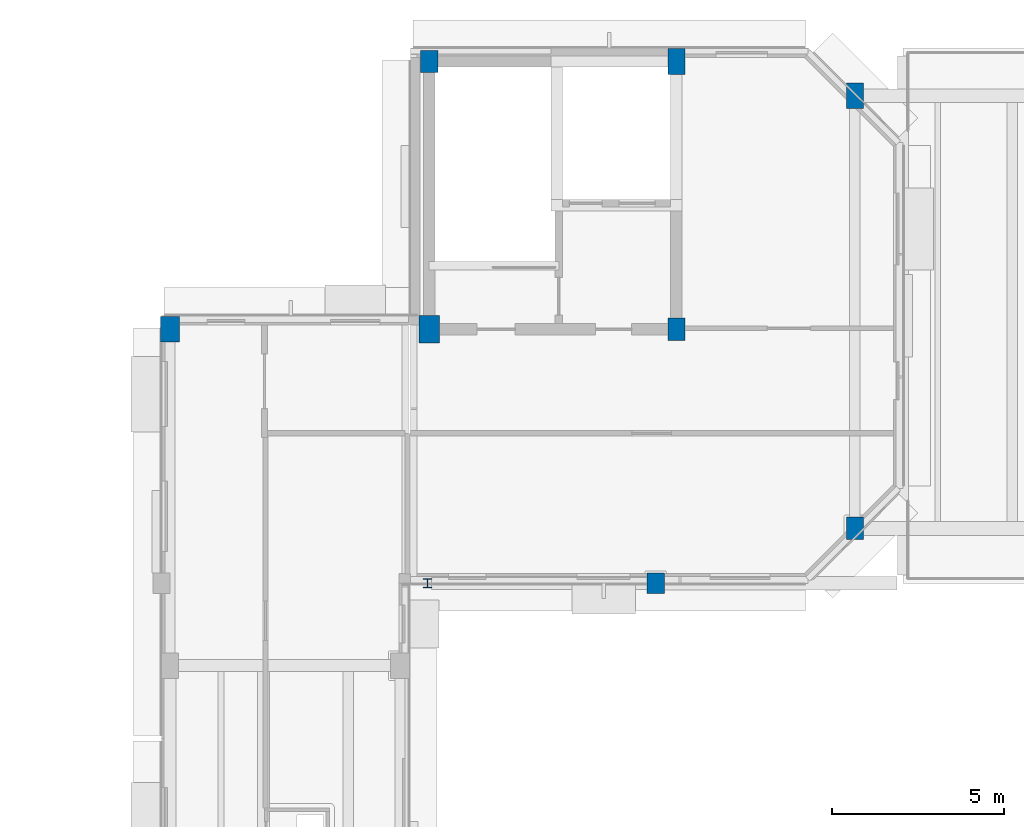
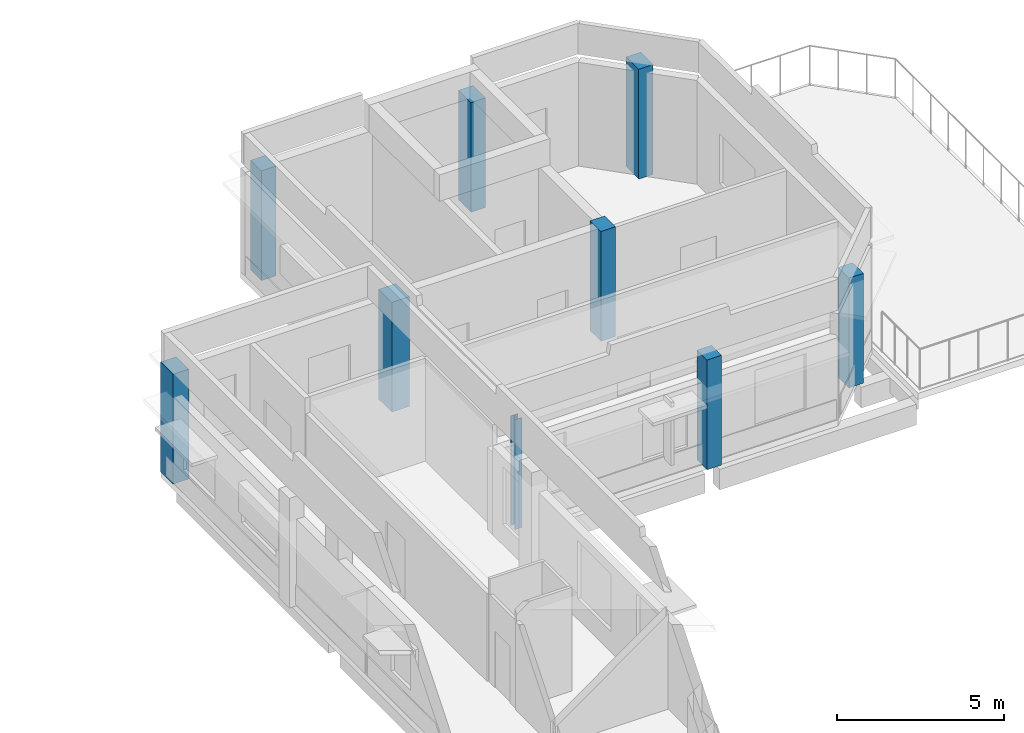
# One storey, part 2 of 17: 9 columns.
"""IFC4 building model written with IfcOpenShell, lengths in metres."""

from ifc_helpers import new_model, si_unit, direction, frame, origin, origin_2d, place, context, subcontext, project, spatial, rectangle, i_section, extrude, material, material_profile, profile_set, type_object, element, save


model = new_model("IFC4")

# Units and contexts
model_context = context("Model", 3, precision=1e-05, world=origin(), true_north=direction((0.0, 1.0)))
body_context = subcontext(model_context, "Body", "Model", "MODEL_VIEW")
ifc_project = project(units=[si_unit("LENGTHUNIT", "METRE"), si_unit("AREAUNIT", "SQUARE_METRE"), si_unit("VOLUMEUNIT", "CUBIC_METRE"), si_unit("PLANEANGLEUNIT", "RADIAN"), si_unit("MASSUNIT", "GRAM", prefix="KILO")], contexts=[model_context])

# Site, building, storey
site_placement = place(None, origin())
site = spatial("IfcSite", under=ifc_project, at=site_placement, CompositionType="ELEMENT")
building_placement = place(site_placement, origin())
building = spatial("IfcBuilding", under=site, at=building_placement, Name="Kelanivale Promenade Academy", CompositionType="ELEMENT")
storey_placement = place(building_placement, frame((0.0, 0.0, 20.199951171875)))
storey = spatial("IfcBuildingStorey", under=building, at=storey_placement, Name="L05", CompositionType="ELEMENT", Elevation=20.199951171875)

# Columns
ifc_material_1 = material(Name="Concrete C40/50", Category="concrete")
ifc_material_profile_1 = material_profile(ifc_material_1, rectangle(XDim=0.5, YDim=0.64990234375, at=origin_2d()), Name="RC-COL 500x650")
ifc_profile_set_1 = profile_set([ifc_material_profile_1], Name="Concrete C40/50")
column_type_1 = type_object("IfcColumnType", Name="C-11 RC-COL 500x650", PredefinedType="COLUMN", material=ifc_profile_set_1)
for number, where, z_axis, x_axis, name in (
    (1, (123.39990234375, 111.60009765625, 0.0), (0.0, 0.0, 1.0), (1.0, 0.0, 0.0), "Column C-11 at (123.4, 111.6) L05"),
    (2, (130.60009765625, 103.800048828125, 0.0), (0.0, 0.0, 1.0), (1.0, 0.0, 0.0), "Column C-11 at (130.6, 103.8) L05"),
    (3, (135.800048828125, 98.0, 0.0), (0.0, 0.0, 1.0), (1.0, 0.0, 0.0), "Column C-11 at (135.8, 98.0) L05"),
):
    element("IfcColumn", number, at=place(storey_placement, frame(where, z_axis=z_axis, x_axis=x_axis)), inside=storey, type_object=column_type_1, Name=name, PredefinedType="COLUMN", context=body_context, shape_type="SweptSolid", body=[
        extrude(rectangle(XDim=0.5, YDim=0.64990234375, at=origin_2d()), origin(), (0.0, 0.0, 1.0), 4.0),
    ])
ifc_material_profile_2 = material_profile(ifc_material_1, rectangle(XDim=0.5, YDim=0.75, at=origin_2d()), Name="RC-COL 500x750")
ifc_profile_set_2 = profile_set([ifc_material_profile_2], Name="Concrete C40/50")
column_type_2 = type_object("IfcColumnType", Name="C-12 RC-COL 500x750", PredefinedType="COLUMN", material=ifc_profile_set_2)
for number, where, z_axis, x_axis, name in (
    (4, (130.60009765625, 111.60009765625, 0.0), (0.0, 0.0, 1.0), (1.0, 0.0, 0.0), "Column C-12 at (130.6, 111.6) L05"),
    (5, (135.800048828125, 110.60009765625, 0.0), (0.0, 0.0, 1.0), (1.0, 0.0, 0.0), "Column C-12 at (135.8, 110.6) L05"),
):
    element("IfcColumn", number, at=place(storey_placement, frame(where, z_axis=z_axis, x_axis=x_axis)), inside=storey, type_object=column_type_2, Name=name, PredefinedType="COLUMN", context=body_context, shape_type="SweptSolid", body=[
        extrude(rectangle(XDim=0.5, YDim=0.75, at=origin_2d()), origin(), (0.0, 0.0, 1.0), 4.0),
    ])
ifc_material_profile_3 = material_profile(ifc_material_1, rectangle(XDim=0.550048828125, YDim=0.75, at=origin_2d()), Name="RC-COL 550x750")
ifc_profile_set_3 = profile_set([ifc_material_profile_3], Name="Concrete C40/50")
column_type_3 = type_object("IfcColumnType", Name="C-13 RC-COL 550x750", PredefinedType="COLUMN", material=ifc_profile_set_3)
column_1_placement = place(storey_placement, frame((115.85009765625, 103.800048828125, 0.0), z_axis=(0.0, 0.0, 1.0), x_axis=(1.0, 0.0, 0.0)))
element("IfcColumn", 6, at=column_1_placement, inside=storey, type_object=column_type_3, Name="Column C-13 at (115.8, 103.8) L05", PredefinedType="COLUMN", context=body_context, shape_type="SweptSolid", body=[
    extrude(rectangle(XDim=0.550048828125, YDim=0.75, at=origin_2d()), origin(), (0.0, 0.0, 1.0), 4.0),
])
ifc_material_profile_4 = material_profile(ifc_material_1, rectangle(XDim=0.60009765625, YDim=0.800048828125, at=origin_2d()), Name="RC-COL 600x800")
ifc_profile_set_4 = profile_set([ifc_material_profile_4], Name="Concrete C40/50")
column_type_4 = type_object("IfcColumnType", Name="C-14 RC-COL 600x800", PredefinedType="COLUMN", material=ifc_profile_set_4)
column_2_placement = place(storey_placement, frame((123.39990234375, 103.800048828125, 0.0), z_axis=(0.0, 0.0, 1.0), x_axis=(1.0, 0.0, 0.0)))
element("IfcColumn", 7, at=column_2_placement, inside=storey, type_object=column_type_4, Name="Column C-14 at (123.4, 103.8) L05", PredefinedType="COLUMN", context=body_context, shape_type="SweptSolid", body=[
    extrude(rectangle(XDim=0.60009765625, YDim=0.800048828125, at=origin_2d()), origin(), (0.0, 0.0, 1.0), 4.0),
])
ifc_material_profile_5 = material_profile(ifc_material_1, rectangle(XDim=0.5, YDim=0.60009765625, at=origin_2d()), Name="RC-PIL 500x600")
ifc_profile_set_5 = profile_set([ifc_material_profile_5], Name="Concrete C40/50")
column_type_5 = type_object("IfcColumnType", Name="PL-18 RC-PIL 500x600", PredefinedType="PILASTER", material=ifc_profile_set_5)
column_3_placement = place(storey_placement, frame((130.0, 96.39990234375, 0.0), z_axis=(0.0, 0.0, 1.0), x_axis=(1.0, 0.0, 0.0)))
element("IfcColumn", 8, at=column_3_placement, inside=storey, type_object=column_type_5, Name="Column PL-18 at (130.0, 96.4) L05", PredefinedType="PILASTER", context=body_context, shape_type="SweptSolid", body=[
    extrude(rectangle(XDim=0.5, YDim=0.60009765625, at=origin_2d()), origin(), (0.0, 0.0, 1.0), 4.0),
])
ifc_material_2 = material(Name="Steel S355", Category="steel")
ifc_material_profile_6 = material_profile(ifc_material_2, i_section(OverallWidth=0.254638671875, OverallDepth=0.254150390625, WebThickness=0.008544921875, FlangeThickness=0.01416015625, FilletRadius=0.0126953125, at=origin_2d()), Name="UC 254x254x73")
ifc_profile_set_6 = profile_set([ifc_material_profile_6], Name="Steel S355")
column_type_6 = type_object("IfcColumnType", Name="SC-02 UC 254x254x73", PredefinedType="COLUMN", material=ifc_profile_set_6)
column_4_placement = place(storey_placement, frame((123.35009765625, 96.39990234375, 0.0), z_axis=(0.0, 0.0, 1.0), x_axis=(1.0, 0.0, 0.0)))
element("IfcColumn", 9, at=column_4_placement, inside=storey, type_object=column_type_6, Name="Column SC-02 at (123.3, 96.4) L05", PredefinedType="COLUMN", context=body_context, shape_type="SweptSolid", body=[
    extrude(i_section(OverallWidth=0.254638671875, OverallDepth=0.254150390625, WebThickness=0.008544921875, FlangeThickness=0.01416015625, FilletRadius=0.0126953125, at=origin_2d()), origin(), (0.0, 0.0, 1.0), 4.0),
])

save(model, "model.ifc")
